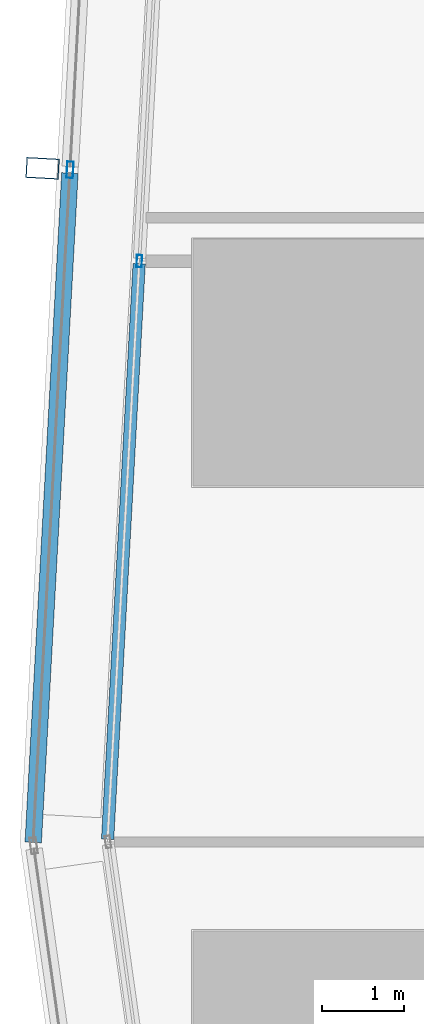
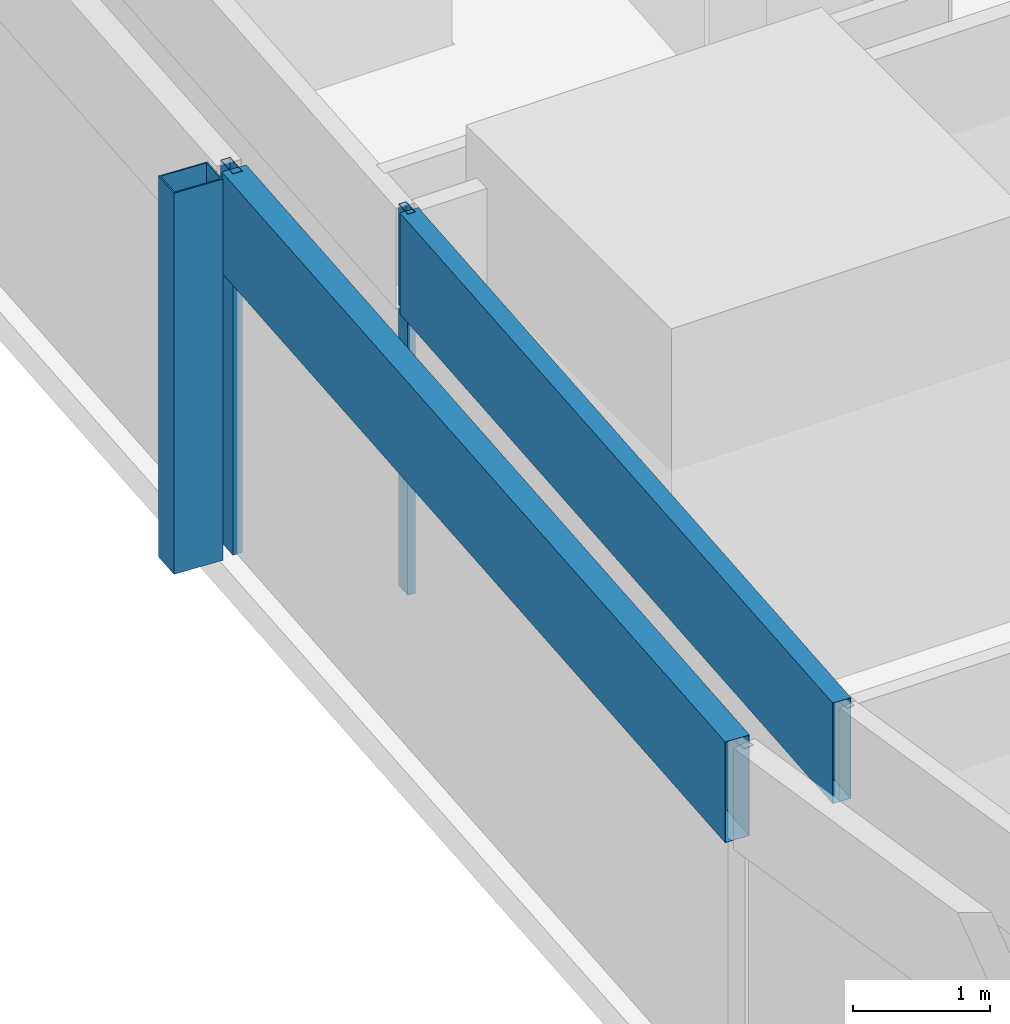
# One storey, part 6 of 38: 5 members, 2 elements without a shape of their own.
"""IFC4 building model written with IfcOpenShell, lengths in metres."""

from ifc_helpers import new_model, si_unit, direction, frame, origin, origin_2d, place, context, subcontext, project, spatial, hollow_rectangle, extrude, material, material_profile, profile_set, type_object, element, aggregate, save


model = new_model("IFC4")

# Units and contexts
model_context = context("Model", 3, precision=1e-05, world=origin(), true_north=direction((0.0, 1.0)))
body_context = subcontext(model_context, "Body", "Model", "MODEL_VIEW")
ifc_project = project(units=[si_unit("LENGTHUNIT", "METRE"), si_unit("AREAUNIT", "SQUARE_METRE"), si_unit("VOLUMEUNIT", "CUBIC_METRE"), si_unit("PLANEANGLEUNIT", "RADIAN"), si_unit("MASSUNIT", "GRAM", prefix="KILO")], contexts=[model_context])

# Site, building, storey
site_placement = place(None, origin())
site = spatial("IfcSite", under=ifc_project, at=site_placement, CompositionType="ELEMENT")
building_placement = place(site_placement, origin())
building = spatial("IfcBuilding", under=site, at=building_placement, Name="Rekha Terrace Tower", CompositionType="ELEMENT")
storey_placement = place(building_placement, frame((0.0, 0.0, 159.050048828125)))
storey = spatial("IfcBuildingStorey", under=building, at=storey_placement, Name="L40", CompositionType="ELEMENT", Elevation=159.050048828125)

# Curtain wall, member
ifc_material_1 = material(Name="Aluminium framing", Category="aluminium")
curtain_wall_type_1 = type_object("IfcCurtainWallType", Name="CW2 double skin outer glazing", PredefinedType="USERDEFINED", material=ifc_material_1)
curtain_wall_1_placement = place(storey_placement, origin())
curtain_wall_1 = element("IfcCurtainWall", 1, at=curtain_wall_1_placement, inside=storey, type_object=curtain_wall_type_1, Name="CW2 double skin outer glazing", ObjectType="DOUBLE SKIN OUTER GLAZING", PredefinedType="USERDEFINED")
ifc_material_2 = material(Name="Steel S355 with fluorocarbon finish", Category="steel")
ifc_material_profile_1 = material_profile(ifc_material_2, hollow_rectangle(XDim=0.25, YDim=0.39990234375, WallThickness=0.012451171875, at=origin_2d()), Name="RHS400x250x12.5")
ifc_profile_set_1 = profile_set([ifc_material_profile_1], Name="Steel S355 with fluorocarbon finish")
member_type_1 = type_object("IfcMemberType", Name="BL1 facade blade RHS 400 x 250", PredefinedType="USERDEFINED", material=ifc_profile_set_1)
member_1_placement = place(storey_placement, frame((5.073974609375, 35.9609375, 0.0), z_axis=(0.0, 0.0, 1.0), x_axis=(-0.054742798353, -0.998500488747, 0.0)))
member_1 = element("IfcMember", 2, at=member_1_placement, type_object=member_type_1, Name="Facade blade", ObjectType="FACADE BLADE", PredefinedType="USERDEFINED", context=body_context, shape_type="SweptSolid", body=[
    extrude(hollow_rectangle(XDim=0.25, YDim=0.39990234375, WallThickness=0.012451171875, at=origin_2d()), origin(), (0.0, 0.0, 1.0), 3.39990234375),
])

# Curtain wall, members
curtain_wall_type_2 = type_object("IfcCurtainWallType", Name="CW1 double skin inner glazing", PredefinedType="USERDEFINED", material=ifc_material_1)
curtain_wall_2_placement = place(storey_placement, origin())
curtain_wall_2 = element("IfcCurtainWall", 3, at=curtain_wall_2_placement, inside=storey, type_object=curtain_wall_type_2, Name="CW1 double skin inner glazing", ObjectType="DOUBLE SKIN INNER GLAZING", PredefinedType="USERDEFINED")
ifc_material_3 = material(Name="Aluminium mullion section", Category="aluminium")
ifc_material_profile_2 = material_profile(ifc_material_3, hollow_rectangle(XDim=0.06494140625, YDim=0.14990234375, WallThickness=0.00390625, at=origin_2d()), Name="AL RHS 65x150")
ifc_profile_set_2 = profile_set([ifc_material_profile_2], Name="Aluminium mullion section")
member_type_2 = type_object("IfcMemberType", Name="CW1 mullion RHS 65 x 150", PredefinedType="MULLION", material=ifc_profile_set_2)
member_2_placement = place(storey_placement, frame((6.2490234375, 34.833984375, 0.0), z_axis=(0.0, 0.0, 1.0), x_axis=(0.998500513181, -0.05474235269, 0.0)))
member_2 = element("IfcMember", 4, at=member_2_placement, type_object=member_type_2, Name="CW1 mullion 3", PredefinedType="MULLION", context=body_context, shape_type="SweptSolid", body=[
    extrude(hollow_rectangle(XDim=0.06494140625, YDim=0.14990234375, WallThickness=0.00390625, at=origin_2d()), origin(), (0.0, 0.0, 1.0), 3.39990234375),
])
ifc_material_4 = material(Name="Insulated aluminium spandrel box", Category="aluminium")
ifc_material_profile_3 = material_profile(ifc_material_4, hollow_rectangle(XDim=0.14990234375, YDim=0.89990234375, WallThickness=0.0029296875, at=origin_2d()), Name="AL SPANDREL BOX 150x900")
ifc_profile_set_3 = profile_set([ifc_material_profile_3], Name="Insulated aluminium spandrel box")
member_type_3 = type_object("IfcMemberType", Name="CW1 spandrel transom 150 x 900", PredefinedType="USERDEFINED", material=ifc_profile_set_3)
member_3_placement = place(storey_placement, frame((6.247314453125, 34.801513671875, 2.949951171875), z_axis=(-0.054768666464, -0.998499070192, 0.0), x_axis=(0.998499070192, -0.054768666464, 0.0)))
member_3 = element("IfcMember", 5, at=member_3_placement, type_object=member_type_3, Name="CW1 spandrel transom 3", ObjectType="TRANSOM", PredefinedType="USERDEFINED", context=body_context, shape_type="SweptSolid", body=[
    extrude(hollow_rectangle(XDim=0.14990234375, YDim=0.89990234375, WallThickness=0.0029296875, at=origin_2d()), origin(), (0.0, 0.0, 1.0), 6.99853515625),
])
aggregate(curtain_wall_2, [member_2, member_3])

# Member
ifc_material_profile_4 = material_profile(ifc_material_3, hollow_rectangle(XDim=0.080078125, YDim=0.199951171875, WallThickness=0.00390625, at=origin_2d()), Name="AL RHS 80x200")
ifc_profile_set_4 = profile_set([ifc_material_profile_4], Name="Aluminium mullion section")
member_type_4 = type_object("IfcMemberType", Name="CW2 mullion RHS 80 x 200", PredefinedType="MULLION", material=ifc_profile_set_4)
member_4_placement = place(storey_placement, frame((5.408447265625, 35.942626953125, 0.0), z_axis=(0.0, 0.0, 1.0), x_axis=(0.99850051318, -0.054742352707, 0.0)))
member_4 = element("IfcMember", 6, at=member_4_placement, type_object=member_type_4, Name="CW2 mullion 4", PredefinedType="MULLION", context=body_context, shape_type="SweptSolid", body=[
    extrude(hollow_rectangle(XDim=0.080078125, YDim=0.199951171875, WallThickness=0.00390625, at=origin_2d()), origin(), (0.0, 0.0, 1.0), 3.39990234375),
])

ifc_material_profile_5 = material_profile(ifc_material_4, hollow_rectangle(XDim=0.199951171875, YDim=0.89990234375, WallThickness=0.0029296875, at=origin_2d()), Name="AL SPANDREL BOX 200x900")
ifc_profile_set_5 = profile_set([ifc_material_profile_5], Name="Insulated aluminium spandrel box")
member_type_5 = type_object("IfcMemberType", Name="CW2 spandrel transom 200 x 900", PredefinedType="USERDEFINED", material=ifc_profile_set_5)
member_5_placement = place(storey_placement, frame((5.40625, 35.902587890625, 2.949951171875), z_axis=(-0.054737434401, -0.998500782812, 0.0), x_axis=(0.998500782812, -0.054737434401, 0.0)))
member_5 = element("IfcMember", 7, at=member_5_placement, type_object=member_type_5, Name="CW2 spandrel transom 4", ObjectType="TRANSOM", PredefinedType="USERDEFINED", context=body_context, shape_type="SweptSolid", body=[
    extrude(hollow_rectangle(XDim=0.199951171875, YDim=0.89990234375, WallThickness=0.0029296875, at=origin_2d()), origin(), (0.0, 0.0, 1.0), 8.139892578125),
])

aggregate(curtain_wall_1, [member_4, member_5, member_1])

save(model, "model.ifc")
